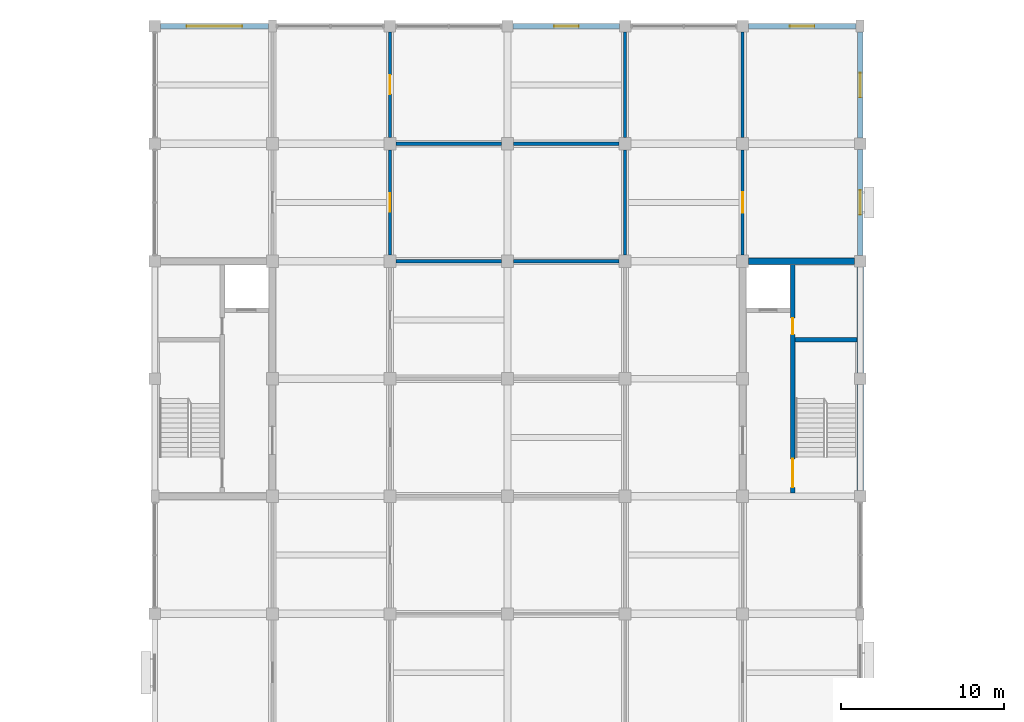
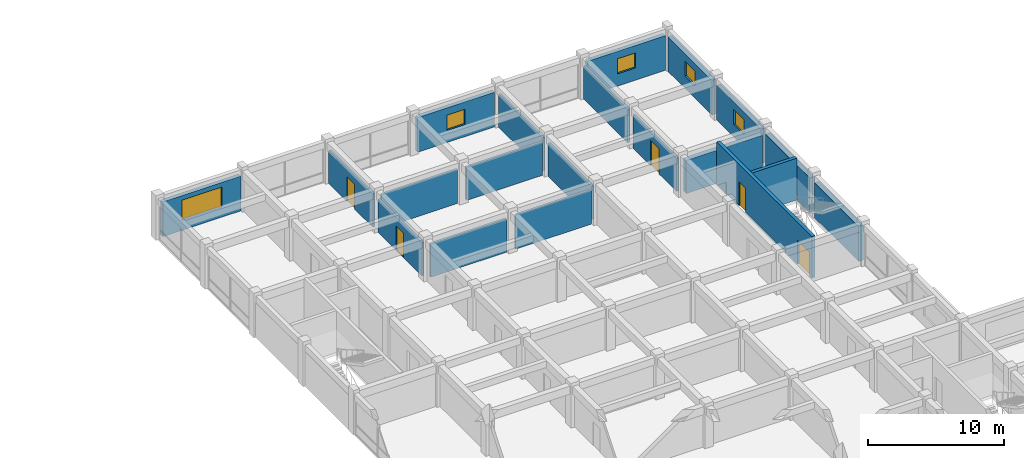
# One storey, part 17 of 25: 20 walls, 5 doors, 5 windows, 10 openings.
"""IFC4 building model written with IfcOpenShell, lengths in metres."""

from ifc_helpers import new_model, si_unit, direction, frame, frame_2d, origin, place, context, subcontext, project, spatial, rectangle, extrude, material, layer, layer_set, type_object, element, fill, save


model = new_model("IFC4")

# Units and contexts
model_context = context("Model", 3, precision=1e-05, world=origin(), true_north=direction((0.0, 1.0)))
body_context = subcontext(model_context, "Body", "Model", "MODEL_VIEW")
ifc_project = project(units=[si_unit("LENGTHUNIT", "METRE"), si_unit("AREAUNIT", "SQUARE_METRE"), si_unit("VOLUMEUNIT", "CUBIC_METRE"), si_unit("PLANEANGLEUNIT", "RADIAN"), si_unit("MASSUNIT", "GRAM", prefix="KILO")], contexts=[model_context])

# Site, building, storey
site_placement = place(None, origin())
site = spatial("IfcSite", under=ifc_project, at=site_placement, CompositionType="ELEMENT")
building_placement = place(site_placement, origin())
building = spatial("IfcBuilding", under=site, at=building_placement, Name="Cendaluz Park School", CompositionType="ELEMENT")
storey_placement = place(building_placement, frame((0.0, 0.0, 18.60009765625)))
storey = spatial("IfcBuildingStorey", under=building, at=storey_placement, Name="L04", CompositionType="ELEMENT", Elevation=18.60009765625)

# Walls
ifc_material_1 = material(Name="Gypsum Plasterboard on Cold-Formed Stud", Category="gypsum")
ifc_layer_1 = layer(ifc_material_1, 0.199951171875)
ifc_layer_set_1 = layer_set([ifc_layer_1], Name="Gypsum Plasterboard on Cold-Formed Stud")
wall_type_1 = type_object("IfcWallType", Name="W-AC20", PredefinedType="PARTITIONING", material=ifc_layer_set_1)
wall_1_placement = place(storey_placement, frame((79.574951171875, 57.60009765625, 0.0), z_axis=(0.0, 0.0, 1.0), x_axis=(1.0, 0.0, 0.0)))
element("IfcWall", 1, at=wall_1_placement, inside=storey, type_object=wall_type_1, Name="WL-FE-BR8", PredefinedType="PARTITIONING", context=body_context, shape_type="SweptSolid", body=[
    extrude(rectangle(XDim=6.449951171875, YDim=0.199951171875, at=frame_2d((3.22509765625, 0.0))), origin(), (0.0, 0.0, 1.0), 2.969970703125),
])
wall_2_placement = place(storey_placement, frame((86.77490234375, 57.60009765625, 0.0), z_axis=(0.0, 0.0, 1.0), x_axis=(1.0, 0.0, 0.0)))
element("IfcWall", 2, at=wall_2_placement, inside=storey, type_object=wall_type_1, Name="WL-FE-BS0", PredefinedType="PARTITIONING", context=body_context, shape_type="SweptSolid", body=[
    extrude(rectangle(XDim=6.4501953125, YDim=0.199951171875, at=frame_2d((3.22509765625, 0.0))), origin(), (0.0, 0.0, 1.0), 3.039794921875),
])
wall_3_placement = place(storey_placement, frame((79.574951171875, 64.800048828125, 0.0), z_axis=(0.0, 0.0, 1.0), x_axis=(1.0, 0.0, 0.0)))
element("IfcWall", 3, at=wall_3_placement, inside=storey, type_object=wall_type_1, Name="WL-FE-BS2", PredefinedType="PARTITIONING", context=body_context, shape_type="SweptSolid", body=[
    extrude(rectangle(XDim=6.449951171875, YDim=0.199951171875, at=frame_2d((3.22509765625, 0.0))), origin(), (0.0, 0.0, 1.0), 3.039794921875),
])

# Wall, opening, door
wall_4_placement = place(storey_placement, frame((79.199951171875, 57.97509765625, 0.0), z_axis=(0.0, 0.0, 1.0), x_axis=(0.0, 1.0, 0.0)))
wall_4 = element("IfcWall", 4, at=wall_4_placement, inside=storey, type_object=wall_type_1, Name="WL-FE-BS3", PredefinedType="PARTITIONING", context=body_context, shape_type="SweptSolid", body=[
    extrude(rectangle(XDim=6.449951171875, YDim=0.199951171875, at=frame_2d((3.22509765625, 0.0))), origin(), (0.0, 0.0, 1.0), 2.969970703125),
])
opening_1_placement = place(wall_4_placement, frame((2.6650390625, 0.0, 0.0)))
opening_1 = element("IfcOpeningElement", 5, at=opening_1_placement, cuts=wall_4, Name="Opening DCL-06", PredefinedType="OPENING", context=body_context, shape_type="SweptSolid", body=[
    extrude(rectangle(XDim=1.1201171875, YDim=2.199951171875, at=frame_2d((0.56005859375, 1.10009765625))), frame((0.0, 0.112060546875, 0.0), z_axis=(0.0, -1.0, 0.0), x_axis=(1.0, 0.0, 0.0)), (0.0, 0.0, 1.0), 0.223876953125),
])
ifc_material_2 = material(Name="Solid Core Hardwood", Category="wood")
door_type_1 = type_object("IfcDoorType", Name="DCL-06", OperationType="NOTDEFINED", PredefinedType="DOOR", material=ifc_material_2)
door_1_placement = place(opening_1_placement, frame((1.1201171875, 0.0, 0.0), z_axis=(0.0, 0.0, 1.0), x_axis=(-1.0, 0.0, 0.0)))
door_1 = element("IfcDoor", 6, at=door_1_placement, inside=storey, type_object=door_type_1, Name="D-L04-047", OperationType="SINGLE_SWING_LEFT", OverallHeight=2.199951171875, OverallWidth=1.1201171875, PredefinedType="DOOR", context=body_context, shape_type="SweptSolid", body=[
    extrude(rectangle(XDim=1.1201171875, YDim=2.199951171875, at=frame_2d((0.56005859375, 1.10009765625))), frame((0.0, 0.02490234375, 0.0), z_axis=(0.0, -1.0, 0.0), x_axis=(1.0, 0.0, 0.0)), (0.0, 0.0, 1.0), 0.050048828125),
])
fill(opening_1, door_1)

# Walls
wall_5_placement = place(storey_placement, frame((86.77490234375, 64.800048828125, 0.0), z_axis=(0.0, 0.0, 1.0), x_axis=(1.0, 0.0, 0.0)))
element("IfcWall", 7, at=wall_5_placement, inside=storey, type_object=wall_type_1, Name="WL-FE-BS4", PredefinedType="PARTITIONING", context=body_context, shape_type="SweptSolid", body=[
    extrude(rectangle(XDim=6.4501953125, YDim=0.199951171875, at=frame_2d((3.22509765625, 0.0))), origin(), (0.0, 0.0, 1.0), 2.969970703125),
])
wall_6_placement = place(storey_placement, frame((93.60009765625, 57.97509765625, 0.0), z_axis=(0.0, 0.0, 1.0), x_axis=(0.0, 1.0, 0.0)))
element("IfcWall", 8, at=wall_6_placement, inside=storey, type_object=wall_type_1, Name="WL-FE-BS5", PredefinedType="PARTITIONING", context=body_context, shape_type="SweptSolid", body=[
    extrude(rectangle(XDim=6.449951171875, YDim=0.199951171875, at=frame_2d((3.22509765625, 0.0))), origin(), (0.0, 0.0, 1.0), 2.969970703125),
])

# Wall, opening, door
wall_7_placement = place(storey_placement, frame((79.199951171875, 65.175048828125, 0.0), z_axis=(0.0, 0.0, 1.0), x_axis=(0.0, 1.0, 0.0)))
wall_7 = element("IfcWall", 9, at=wall_7_placement, inside=storey, type_object=wall_type_1, Name="WL-FE-BS6", PredefinedType="PARTITIONING", context=body_context, shape_type="SweptSolid", body=[
    extrude(rectangle(XDim=6.474853515625, YDim=0.199951171875, at=frame_2d((3.2373046875, 0.0))), origin(), (0.0, 0.0, 1.0), 2.969970703125),
])
opening_2_placement = place(wall_7_placement, frame((2.657470703125, 0.0, 0.0)))
opening_2 = element("IfcOpeningElement", 10, at=opening_2_placement, cuts=wall_7, Name="Opening DCL-07", PredefinedType="OPENING", context=body_context, shape_type="SweptSolid", body=[
    extrude(rectangle(XDim=1.159912109375, YDim=2.219970703125, at=frame_2d((0.580078125, 1.10986328125))), frame((0.0, 0.112060546875, 0.0), z_axis=(0.0, -1.0, 0.0), x_axis=(1.0, 0.0, 0.0)), (0.0, 0.0, 1.0), 0.223876953125),
])
door_type_2 = type_object("IfcDoorType", Name="DCL-07", OperationType="NOTDEFINED", PredefinedType="DOOR", material=ifc_material_2)
door_2_placement = place(opening_2_placement, frame((1.159912109375, 0.0, 0.0), z_axis=(0.0, 0.0, 1.0), x_axis=(-1.0, 0.0, 0.0)))
door_2 = element("IfcDoor", 11, at=door_2_placement, inside=storey, type_object=door_type_2, Name="D-L04-048", OperationType="SINGLE_SWING_RIGHT", OverallHeight=2.219970703125, OverallWidth=1.159912109375, PredefinedType="DOOR", context=body_context, shape_type="SweptSolid", body=[
    extrude(rectangle(XDim=1.159912109375, YDim=2.219970703125, at=frame_2d((0.580078125, 1.10986328125))), frame((0.0, 0.02490234375, 0.0), z_axis=(0.0, -1.0, 0.0), x_axis=(1.0, 0.0, 0.0)), (0.0, 0.0, 1.0), 0.050048828125),
])
fill(opening_2, door_2)

# Wall
wall_8_placement = place(storey_placement, frame((93.60009765625, 65.175048828125, 0.0), z_axis=(0.0, 0.0, 1.0), x_axis=(0.0, 1.0, 0.0)))
element("IfcWall", 12, at=wall_8_placement, inside=storey, type_object=wall_type_1, Name="WL-FE-BS7", PredefinedType="PARTITIONING", context=body_context, shape_type="SweptSolid", body=[
    extrude(rectangle(XDim=6.474853515625, YDim=0.199951171875, at=frame_2d((3.2373046875, 0.0))), origin(), (0.0, 0.0, 1.0), 2.969970703125),
])

# Wall, opening, door
wall_9_placement = place(storey_placement, frame((100.800048828125, 57.97509765625, 0.0), z_axis=(0.0, 0.0, 1.0), x_axis=(0.0, 1.0, 0.0)))
wall_9 = element("IfcWall", 13, at=wall_9_placement, inside=storey, type_object=wall_type_1, Name="WL-FE-BT0", PredefinedType="PARTITIONING", context=body_context, shape_type="SweptSolid", body=[
    extrude(rectangle(XDim=6.449951171875, YDim=0.199951171875, at=frame_2d((3.22509765625, 0.0))), origin(), (0.0, 0.0, 1.0), 2.969970703125),
])
opening_3_placement = place(wall_9_placement, frame((2.60498046875, 0.0, 0.0)))
opening_3 = element("IfcOpeningElement", 14, at=opening_3_placement, cuts=wall_9, Name="Opening DCL-09", PredefinedType="OPENING", context=body_context, shape_type="SweptSolid", body=[
    extrude(rectangle(XDim=1.239990234375, YDim=2.260009765625, at=frame_2d((0.6201171875, 1.1298828125))), frame((0.0, 0.112060546875, 0.0), z_axis=(0.0, -1.0, 0.0), x_axis=(1.0, 0.0, 0.0)), (0.0, 0.0, 1.0), 0.223876953125),
])
door_type_3 = type_object("IfcDoorType", Name="DCL-09", OperationType="NOTDEFINED", PredefinedType="DOOR", material=ifc_material_2)
door_3_placement = place(opening_3_placement, frame((1.239990234375, 0.0, 0.0), z_axis=(0.0, 0.0, 1.0), x_axis=(-1.0, 0.0, 0.0)))
door_3 = element("IfcDoor", 15, at=door_3_placement, inside=storey, type_object=door_type_3, Name="D-L04-050", OperationType="SINGLE_SWING_RIGHT", OverallHeight=2.260009765625, OverallWidth=1.239990234375, PredefinedType="DOOR", context=body_context, shape_type="SweptSolid", body=[
    extrude(rectangle(XDim=1.239990234375, YDim=2.260009765625, at=frame_2d((0.6201171875, 1.1298828125))), frame((0.0, 0.02490234375, 0.0), z_axis=(0.0, -1.0, 0.0), x_axis=(1.0, 0.0, 0.0)), (0.0, 0.0, 1.0), 0.050048828125),
])
fill(opening_3, door_3)

# Wall
wall_10_placement = place(storey_placement, frame((100.800048828125, 65.175048828125, 0.0), z_axis=(0.0, 0.0, 1.0), x_axis=(0.0, 1.0, 0.0)))
element("IfcWall", 16, at=wall_10_placement, inside=storey, type_object=wall_type_1, Name="WL-FE-BT1", PredefinedType="PARTITIONING", context=body_context, shape_type="SweptSolid", body=[
    extrude(rectangle(XDim=6.474853515625, YDim=0.199951171875, at=frame_2d((3.2373046875, 0.0))), origin(), (0.0, 0.0, 1.0), 2.969970703125),
])

# Wall, opening, window
ifc_material_3 = material(Name="Concrete C40/50 precast", Category="concrete")
ifc_layer_2 = layer(ifc_material_3, 0.340087890625)
ifc_layer_set_2 = layer_set([ifc_layer_2], Name="Concrete C40/50 precast")
wall_type_2 = type_object("IfcWallType", Name="W-EX34", PredefinedType="SOLIDWALL", material=ifc_layer_set_2)
wall_11_placement = place(storey_placement, frame((65.14990234375, 72.0, 0.0), z_axis=(0.0, 0.0, 1.0), x_axis=(1.0, 0.0, 0.0)))
wall_11 = element("IfcWall", 17, at=wall_11_placement, inside=storey, type_object=wall_type_2, Name="WL-FE-AA7", PredefinedType="SOLIDWALL", context=body_context, shape_type="SweptSolid", body=[
    extrude(rectangle(XDim=6.60009765625, YDim=0.340087890625, at=frame_2d((3.300048828125, 0.0))), origin(), (0.0, 0.0, 1.0), 3.10986328125),
])
opening_4_placement = place(wall_11_placement, frame((1.60009765625, 0.0, 0.89990234375)))
opening_4 = element("IfcOpeningElement", 18, at=opening_4_placement, cuts=wall_11, Name="Opening WN-09", PredefinedType="OPENING", context=body_context, shape_type="SweptSolid", body=[
    extrude(rectangle(XDim=3.39990234375, YDim=1.800048828125, at=frame_2d((1.699951171875, 0.89990234375))), frame((0.0, 0.18212890625, 0.0), z_axis=(0.0, -1.0, 0.0), x_axis=(1.0, 0.0, 0.0)), (0.0, 0.0, 1.0), 0.364013671875),
])
ifc_material_4 = material(Name="Tempered Low-E Double Glazing", Category="glass")
window_type_1 = type_object("IfcWindowType", Name="WN-09", PartitioningType="SINGLE_PANEL", PredefinedType="WINDOW", material=ifc_material_4)
window_1_placement = place(opening_4_placement, origin())
window_1 = element("IfcWindow", 19, at=window_1_placement, inside=storey, type_object=window_type_1, Name="WN-L04-008", OverallHeight=1.800048828125, OverallWidth=3.39990234375, PartitioningType="SINGLE_PANEL", PredefinedType="WINDOW", context=body_context, shape_type="SweptSolid", body=[
    extrude(rectangle(XDim=3.39990234375, YDim=1.800048828125, at=frame_2d((1.699951171875, 0.89990234375))), frame((0.0, 0.030029296875, 0.0), z_axis=(0.0, -1.0, 0.0), x_axis=(1.0, 0.0, 0.0)), (0.0, 0.0, 1.0), 0.06005859375),
])
fill(opening_4, window_1)

wall_12_placement = place(storey_placement, frame((86.75, 72.0, 0.0), z_axis=(0.0, 0.0, 1.0), x_axis=(1.0, 0.0, 0.0)))
wall_12 = element("IfcWall", 20, at=wall_12_placement, inside=storey, type_object=wall_type_2, Name="WL-FE-AA9", PredefinedType="SOLIDWALL", context=body_context, shape_type="SweptSolid", body=[
    extrude(rectangle(XDim=6.5, YDim=0.340087890625, at=frame_2d((3.25, 0.0))), origin(), (0.0, 0.0, 1.0), 3.10986328125),
])
opening_5_placement = place(wall_12_placement, frame((2.5, 0.0, 1.10009765625)))
opening_5 = element("IfcOpeningElement", 21, at=opening_5_placement, cuts=wall_12, Name="Opening WN-20", PredefinedType="OPENING", context=body_context, shape_type="SweptSolid", body=[
    extrude(rectangle(XDim=1.5, YDim=1.35009765625, at=frame_2d((0.75, 0.675048828125))), frame((0.0, 0.18212890625, 0.0), z_axis=(0.0, -1.0, 0.0), x_axis=(1.0, 0.0, 0.0)), (0.0, 0.0, 1.0), 0.364013671875),
])
window_type_2 = type_object("IfcWindowType", Name="WN-20", PartitioningType="SINGLE_PANEL", PredefinedType="WINDOW", material=ifc_material_4)
window_2_placement = place(opening_5_placement, origin())
window_2 = element("IfcWindow", 22, at=window_2_placement, inside=storey, type_object=window_type_2, Name="WN-L04-010", OverallHeight=1.35009765625, OverallWidth=1.5, PartitioningType="SINGLE_PANEL", PredefinedType="WINDOW", context=body_context, shape_type="SweptSolid", body=[
    extrude(rectangle(XDim=1.5, YDim=1.35009765625, at=frame_2d((0.75, 0.675048828125))), frame((0.0, 0.030029296875, 0.0), z_axis=(0.0, -1.0, 0.0), x_axis=(1.0, 0.0, 0.0)), (0.0, 0.0, 1.0), 0.06005859375),
])
fill(opening_5, window_2)

wall_13_placement = place(storey_placement, frame((108.0, 57.949951171875, 0.0), z_axis=(0.0, 0.0, 1.0), x_axis=(0.0, 1.0, 0.0)))
wall_13 = element("IfcWall", 23, at=wall_13_placement, inside=storey, type_object=wall_type_2, Name="WL-FE-AB1", PredefinedType="SOLIDWALL", context=body_context, shape_type="SweptSolid", body=[
    extrude(rectangle(XDim=6.5, YDim=0.340087890625, at=frame_2d((3.25, 0.0))), origin(), (0.0, 0.0, 1.0), 3.10986328125),
])
opening_6_placement = place(wall_13_placement, frame((2.5, 0.0, 1.10009765625)))
opening_6 = element("IfcOpeningElement", 24, at=opening_6_placement, cuts=wall_13, Name="Opening WN-20", PredefinedType="OPENING", context=body_context, shape_type="SweptSolid", body=[
    extrude(rectangle(XDim=1.5, YDim=1.35009765625, at=frame_2d((0.75, 0.675048828125))), frame((0.0, 0.18212890625, 0.0), z_axis=(0.0, -1.0, 0.0), x_axis=(1.0, 0.0, 0.0)), (0.0, 0.0, 1.0), 0.364013671875),
])
window_3_placement = place(opening_6_placement, origin())
window_3 = element("IfcWindow", 25, at=window_3_placement, inside=storey, type_object=window_type_2, Name="WN-L04-012", OverallHeight=1.35009765625, OverallWidth=1.5, PartitioningType="SINGLE_PANEL", PredefinedType="WINDOW", context=body_context, shape_type="SweptSolid", body=[
    extrude(rectangle(XDim=1.5, YDim=1.35009765625, at=frame_2d((0.75, 0.675048828125))), frame((0.0, 0.030029296875, 0.0), z_axis=(0.0, -1.0, 0.0), x_axis=(1.0, 0.0, 0.0)), (0.0, 0.0, 1.0), 0.06005859375),
])
fill(opening_6, window_3)

wall_14_placement = place(storey_placement, frame((101.14990234375, 72.0, 0.0), z_axis=(0.0, 0.0, 1.0), x_axis=(1.0, 0.0, 0.0)))
wall_14 = element("IfcWall", 26, at=wall_14_placement, inside=storey, type_object=wall_type_2, Name="WL-FE-AB2", PredefinedType="SOLIDWALL", context=body_context, shape_type="SweptSolid", body=[
    extrude(rectangle(XDim=6.60009765625, YDim=0.340087890625, at=frame_2d((3.300048828125, 0.0))), origin(), (0.0, 0.0, 1.0), 3.10986328125),
])
opening_7_placement = place(wall_14_placement, frame((2.550048828125, 0.0, 1.10009765625)))
opening_7 = element("IfcOpeningElement", 27, at=opening_7_placement, cuts=wall_14, Name="Opening WN-20", PredefinedType="OPENING", context=body_context, shape_type="SweptSolid", body=[
    extrude(rectangle(XDim=1.5, YDim=1.35009765625, at=frame_2d((0.75, 0.675048828125))), frame((0.0, 0.18212890625, 0.0), z_axis=(0.0, -1.0, 0.0), x_axis=(1.0, 0.0, 0.0)), (0.0, 0.0, 1.0), 0.364013671875),
])
window_4_placement = place(opening_7_placement, origin())
window_4 = element("IfcWindow", 28, at=window_4_placement, inside=storey, type_object=window_type_2, Name="WN-L04-013", OverallHeight=1.35009765625, OverallWidth=1.5, PartitioningType="SINGLE_PANEL", PredefinedType="WINDOW", context=body_context, shape_type="SweptSolid", body=[
    extrude(rectangle(XDim=1.5, YDim=1.35009765625, at=frame_2d((0.75, 0.675048828125))), frame((0.0, 0.030029296875, 0.0), z_axis=(0.0, -1.0, 0.0), x_axis=(1.0, 0.0, 0.0)), (0.0, 0.0, 1.0), 0.06005859375),
])
fill(opening_7, window_4)

wall_15_placement = place(storey_placement, frame((108.0, 65.14990234375, 0.0), z_axis=(0.0, 0.0, 1.0), x_axis=(0.0, 1.0, 0.0)))
wall_15 = element("IfcWall", 29, at=wall_15_placement, inside=storey, type_object=wall_type_2, Name="WL-FE-AB3", PredefinedType="SOLIDWALL", context=body_context, shape_type="SweptSolid", body=[
    extrude(rectangle(XDim=6.47509765625, YDim=0.340087890625, at=frame_2d((3.237548828125, 0.0))), origin(), (0.0, 0.0, 1.0), 3.10986328125),
])
opening_8_placement = place(wall_15_placement, frame((2.487548828125, 0.0, 1.10009765625)))
opening_8 = element("IfcOpeningElement", 30, at=opening_8_placement, cuts=wall_15, Name="Opening WN-20", PredefinedType="OPENING", context=body_context, shape_type="SweptSolid", body=[
    extrude(rectangle(XDim=1.5, YDim=1.35009765625, at=frame_2d((0.75, 0.675048828125))), frame((0.0, 0.18212890625, 0.0), z_axis=(0.0, -1.0, 0.0), x_axis=(1.0, 0.0, 0.0)), (0.0, 0.0, 1.0), 0.364013671875),
])
window_5_placement = place(opening_8_placement, origin())
window_5 = element("IfcWindow", 31, at=window_5_placement, inside=storey, type_object=window_type_2, Name="WN-L04-014", OverallHeight=1.35009765625, OverallWidth=1.5, PartitioningType="SINGLE_PANEL", PredefinedType="WINDOW", context=body_context, shape_type="SweptSolid", body=[
    extrude(rectangle(XDim=1.5, YDim=1.35009765625, at=frame_2d((0.75, 0.675048828125))), frame((0.0, 0.030029296875, 0.0), z_axis=(0.0, -1.0, 0.0), x_axis=(1.0, 0.0, 0.0)), (0.0, 0.0, 1.0), 0.06005859375),
])
fill(opening_8, window_5)

# Wall, openings, doors
ifc_material_5 = material(Name="Concrete C40/50", Category="concrete")
ifc_layer_3 = layer(ifc_material_5, 0.280029296875)
ifc_layer_set_3 = layer_set([ifc_layer_3], Name="Concrete C40/50")
wall_type_3 = type_object("IfcWallType", Name="W-FW28", PredefinedType="SHEAR", material=ifc_layer_set_3)
wall_16_placement = place(storey_placement, frame((103.8798828125, 43.39990234375, 0.0), z_axis=(0.0, 0.0, 1.0), x_axis=(0.0, 1.0, 0.0)))
wall_16 = element("IfcWall", 32, at=wall_16_placement, inside=storey, type_object=wall_type_3, Name="WL-FE-BK3", PredefinedType="SHEAR", context=body_context, shape_type="SweptSolid", body=[
    extrude(rectangle(XDim=14.0, YDim=0.280029296875, at=frame_2d((7.0, 0.0))), origin(), (0.0, 0.0, 1.0), 3.739990234375),
])
opening_9_placement = place(wall_16_placement, frame((0.35009765625, 0.0, 0.0)))
opening_9 = element("IfcOpeningElement", 33, at=opening_9_placement, cuts=wall_16, Name="Opening DST-03", PredefinedType="OPENING", context=body_context, shape_type="SweptSolid", body=[
    extrude(rectangle(XDim=1.75, YDim=2.14990234375, at=frame_2d((0.875, 1.074951171875))), frame((0.0, 0.152099609375, 0.0), z_axis=(0.0, -1.0, 0.0), x_axis=(1.0, 0.0, 0.0)), (0.0, 0.0, 1.0), 0.303955078125),
])
opening_10_placement = place(wall_16_placement, frame((9.719970703125, 0.0, 0.0)))
opening_10 = element("IfcOpeningElement", 34, at=opening_10_placement, cuts=wall_16, Name="Opening DFC-01", PredefinedType="OPENING", context=body_context, shape_type="SweptSolid", body=[
    extrude(rectangle(XDim=1.0, YDim=2.14990234375, at=frame_2d((0.5, 1.074951171875))), frame((0.0, 0.152099609375, 0.0), z_axis=(0.0, -1.0, 0.0), x_axis=(1.0, 0.0, 0.0)), (0.0, 0.0, 1.0), 0.303955078125),
])
door_type_4 = type_object("IfcDoorType", Name="DFC-01", OperationType="NOTDEFINED", PredefinedType="DOOR", material=ifc_material_2)
door_4_placement = place(opening_10_placement, frame((1.0, 0.0, 0.0), z_axis=(0.0, 0.0, 1.0), x_axis=(-1.0, 0.0, 0.0)))
door_4 = element("IfcDoor", 35, at=door_4_placement, inside=storey, type_object=door_type_4, Name="D-L04-017", OperationType="SINGLE_SWING_RIGHT", OverallHeight=2.14990234375, OverallWidth=1.0, PredefinedType="DOOR", context=body_context, shape_type="SweptSolid", body=[
    extrude(rectangle(XDim=1.0, YDim=2.14990234375, at=frame_2d((0.5, 1.074951171875))), frame((0.0, 0.02490234375, 0.0), z_axis=(0.0, -1.0, 0.0), x_axis=(1.0, 0.0, 0.0)), (0.0, 0.0, 1.0), 0.050048828125),
])
fill(opening_10, door_4)
door_type_5 = type_object("IfcDoorType", Name="DST-03", OperationType="DOUBLE_DOOR_SINGLE_SWING", PredefinedType="DOOR", material=ifc_material_2)
door_5_placement = place(opening_9_placement, frame((1.75, 0.0, 0.0), z_axis=(0.0, 0.0, 1.0), x_axis=(-1.0, 0.0, 0.0)))
door_5 = element("IfcDoor", 36, at=door_5_placement, inside=storey, type_object=door_type_5, Name="D-L04-016", OperationType="DOUBLE_DOOR_SINGLE_SWING", OverallHeight=2.14990234375, OverallWidth=1.75, PredefinedType="DOOR", context=body_context, shape_type="SweptSolid", body=[
    extrude(rectangle(XDim=1.75, YDim=2.14990234375, at=frame_2d((0.875, 1.074951171875))), frame((0.0, 0.02490234375, 0.0), z_axis=(0.0, -1.0, 0.0), x_axis=(1.0, 0.0, 0.0)), (0.0, 0.0, 1.0), 0.050048828125),
])
fill(opening_9, door_5)

# Walls
wall_17_placement = place(storey_placement, frame((104.02001953125, 52.780029296875, 0.0), z_axis=(0.0, 0.0, 1.0), x_axis=(1.0, 0.0, 0.0)))
element("IfcWall", 37, at=wall_17_placement, inside=storey, type_object=wall_type_3, Name="WL-FE-BK4", PredefinedType="SHEAR", context=body_context, shape_type="SweptSolid", body=[
    extrude(rectangle(XDim=3.780029296875, YDim=0.280029296875, at=frame_2d((1.89013671875, 0.0))), origin(), (0.0, 0.0, 1.0), 3.739990234375),
])
ifc_layer_4 = layer(ifc_material_5, 0.39990234375)
ifc_layer_set_4 = layer_set([ifc_layer_4], Name="Concrete C40/50")
wall_type_4 = type_object("IfcWallType", Name="W-SH40", PredefinedType="SHEAR", material=ifc_layer_set_4)
for number, where, z_axis, x_axis, name in (
    (38, (108.0, 43.550048828125, 0.0), (0.0, 0.0, 1.0), (0.0, 1.0, 0.0), "WL-FE-BJ9"),
    (39, (108.0, 50.75, 0.0), (0.0, 0.0, 1.0), (0.0, 1.0, 0.0), "WL-FE-BK0"),
):
    element("IfcWall", number, at=place(storey_placement, frame(where, z_axis=z_axis, x_axis=x_axis)), inside=storey, type_object=wall_type_4, Name=name, PredefinedType="SHEAR", context=body_context, shape_type="SweptSolid", body=[
        extrude(rectangle(XDim=6.5, YDim=0.39990234375, at=frame_2d((3.25, 0.0))), origin(), (0.0, 0.0, 1.0), 3.10986328125),
    ])
wall_18_placement = place(storey_placement, frame((101.175048828125, 57.60009765625, 0.0), z_axis=(0.0, 0.0, 1.0), x_axis=(1.0, 0.0, 0.0)))
element("IfcWall", 40, at=wall_18_placement, inside=storey, type_object=wall_type_4, Name="WL-FE-BK2", PredefinedType="SHEAR", context=body_context, shape_type="SweptSolid", body=[
    extrude(rectangle(XDim=6.474853515625, YDim=0.39990234375, at=frame_2d((3.2373046875, 0.0))), origin(), (0.0, 0.0, 1.0), 2.969970703125),
])

save(model, "model.ifc")
